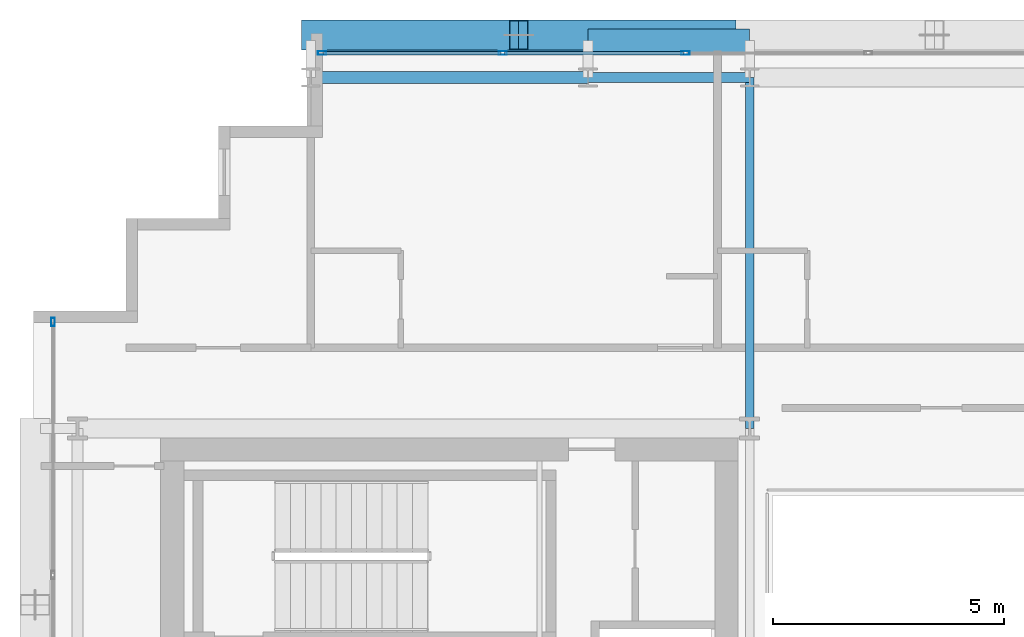
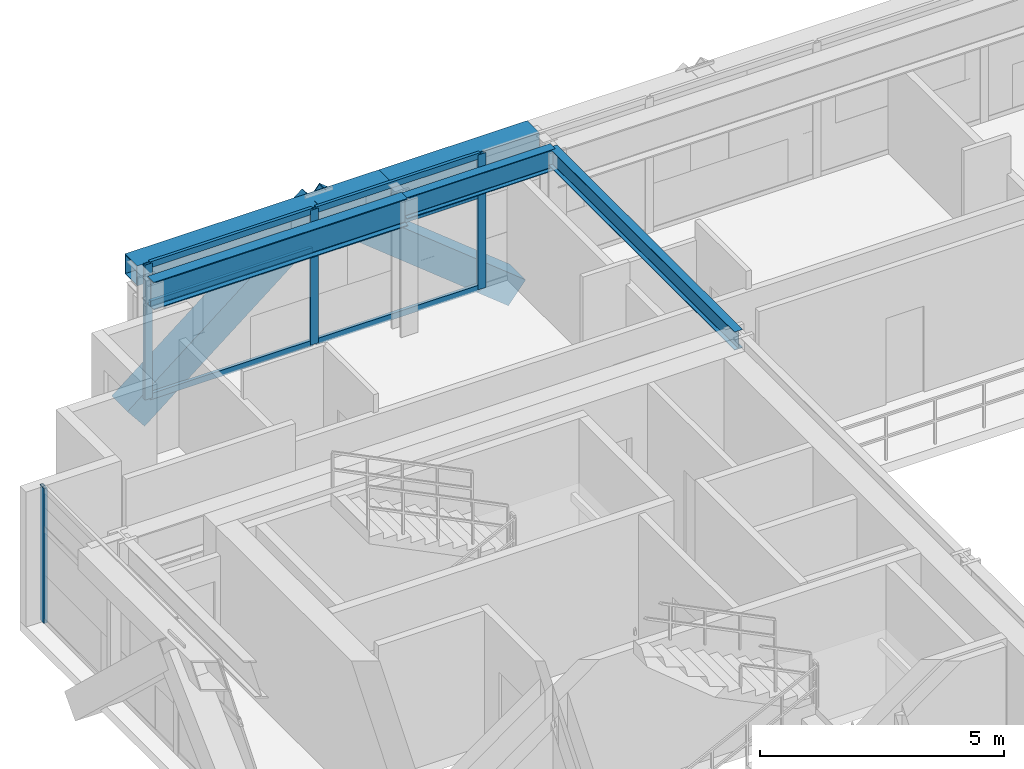
# One storey, part 16 of 31: 12 members, 5 beams, 2 elements without a shape of their own.
"""IFC4 building model written with IfcOpenShell, lengths in metres."""

from ifc_helpers import new_model, si_unit, direction, frame, origin, origin_2d, place, context, subcontext, project, spatial, hollow_rectangle, i_section, extrude, source, transform, mapped, material, layer, layer_set, material_profile, profile_set, type_object, element, aggregate, save


model = new_model("IFC4")

# Units and contexts
model_context = context("Model", 3, precision=1e-05, world=origin(), true_north=direction((0.0, 1.0)))
body_context = subcontext(model_context, "Body", "Model", "MODEL_VIEW")
ifc_project = project(units=[si_unit("LENGTHUNIT", "METRE"), si_unit("AREAUNIT", "SQUARE_METRE"), si_unit("VOLUMEUNIT", "CUBIC_METRE"), si_unit("PLANEANGLEUNIT", "RADIAN"), si_unit("MASSUNIT", "GRAM", prefix="KILO")], contexts=[model_context])

# Site, building, storey
site_placement = place(None, origin())
site = spatial("IfcSite", under=ifc_project, at=site_placement, CompositionType="ELEMENT")
building_placement = place(site_placement, origin())
building = spatial("IfcBuilding", under=site, at=building_placement, Name="Ocotamira Hotel", CompositionType="ELEMENT")
storey_placement = place(building_placement, frame((0.0, 0.0, 181.199951171875)))
storey = spatial("IfcBuildingStorey", under=building, at=storey_placement, Name="L45", CompositionType="ELEMENT", Elevation=181.199951171875)

# Beams
ifc_material_1 = material(Name="Steel ASTM A992 Grade 50", Category="steel")
ifc_material_profile_1 = material_profile(ifc_material_1, i_section(OverallWidth=0.256103515625, OverallDepth=0.693115234375, WebThickness=0.014404296875, FlangeThickness=0.023681640625, FilletRadius=0.01611328125, at=origin_2d()), Name="W27X114")
ifc_profile_set_1 = profile_set([ifc_material_profile_1], Name="Steel ASTM A992 Grade 50")
beam_type_1 = type_object("IfcBeamType", Name="BM-PRIM-W27X114", PredefinedType="BEAM", material=ifc_profile_set_1)
shared_shape_1 = source(origin(), body_context, "Body", "SweptSolid", [
    extrude(i_section(OverallWidth=0.256103515625, OverallDepth=0.693115234375, WebThickness=0.014404296875, FlangeThickness=0.023681640625, FilletRadius=0.01611328125, at=origin_2d()), origin(), (0.0, 0.0, 1.0), 6.0),
])
beam_1_placement = place(storey_placement, frame((14.0, 45.050048828125, 3.0234375), z_axis=(1.0, 0.0, 0.0), x_axis=(0.0, 1.0, 0.0)))
element("IfcBeam", 1, at=beam_1_placement, inside=storey, type_object=beam_type_1, Name="L45 Girder Y45.05 X14-20", PredefinedType="BEAM", context=body_context, shape_type="MappedRepresentation", body=[
    mapped(shared_shape_1, transform((0.0, 0.0, 0.0), scale=1.0)),
])
ifc_material_profile_2 = material_profile(ifc_material_1, i_section(OverallWidth=0.2099609375, OverallDepth=0.537109375, WebThickness=0.010986328125, FlangeThickness=0.017333984375, FilletRadius=0.012939453125, at=origin_2d()), Name="W21X68")
ifc_profile_set_2 = profile_set([ifc_material_profile_2], Name="Steel ASTM A992 Grade 50")
beam_type_2 = type_object("IfcBeamType", Name="BM-SEC-W21X68", PredefinedType="JOIST", material=ifc_profile_set_2)
shared_shape_2 = source(origin(), body_context, "Body", "SweptSolid", [
    extrude(i_section(OverallWidth=0.2099609375, OverallDepth=0.537109375, WebThickness=0.010986328125, FlangeThickness=0.017333984375, FilletRadius=0.012939453125, at=origin_2d()), origin(), (0.0, 0.0, 1.0), 3.5),
])
beam_2_placement = place(storey_placement, frame((20.0, 45.050048828125, 3.1015625), z_axis=(1.0, 0.0, 0.0), x_axis=(0.0, 1.0, 0.0)))
element("IfcBeam", 2, at=beam_2_placement, inside=storey, type_object=beam_type_2, Name="L45 Girder Y45.05 X20-23.5", PredefinedType="JOIST", context=body_context, shape_type="MappedRepresentation", body=[
    mapped(shared_shape_2, transform((0.0, 0.0, 0.0), scale=1.0)),
])
ifc_material_2 = material(Name="Steel ASTM A500 Grade C", Category="steel")
ifc_material_profile_3 = material_profile(ifc_material_2, hollow_rectangle(XDim=0.5, YDim=0.5, WallThickness=0.02001953125, at=origin_2d()), Name="HSS500X500X20")
ifc_profile_set_3 = profile_set([ifc_material_profile_3], Name="Steel ASTM A500 Grade C")
beam_type_3 = type_object("IfcBeamType", Name="BM-SPAN-HSS500", PredefinedType="USERDEFINED", material=ifc_profile_set_3)
shared_shape_3 = source(origin(), body_context, "Body", "SweptSolid", [
    extrude(hollow_rectangle(XDim=0.5, YDim=0.5, WallThickness=0.02001953125, at=origin_2d()), origin(), (0.0, 0.0, 1.0), 6.0),
])
beam_3_placement = place(storey_placement, frame((14.0, 45.85009765625, 3.1201171875), z_axis=(1.0, 0.0, 0.0), x_axis=(0.0, 1.0, 0.0)))
element("IfcBeam", 3, at=beam_3_placement, inside=storey, type_object=beam_type_3, Name="L45 Edge Spandrel N X14-20", ObjectType="SPANDREL", PredefinedType="USERDEFINED", context=body_context, shape_type="MappedRepresentation", body=[
    mapped(shared_shape_3, transform((0.0, 0.0, 0.0), scale=1.0)),
])
shared_shape_4 = source(origin(), body_context, "Body", "SweptSolid", [
    extrude(hollow_rectangle(XDim=0.5, YDim=0.5, WallThickness=0.02001953125, at=origin_2d()), origin(), (0.0, 0.0, 1.0), 3.5),
])
beam_4_placement = place(storey_placement, frame((20.0, 45.85009765625, 3.1201171875), z_axis=(1.0, 0.0, 0.0), x_axis=(0.0, 1.0, 0.0)))
element("IfcBeam", 4, at=beam_4_placement, inside=storey, type_object=beam_type_3, Name="L45 Edge Spandrel N X20-23.5", ObjectType="SPANDREL", PredefinedType="USERDEFINED", context=body_context, shape_type="MappedRepresentation", body=[
    mapped(shared_shape_4, transform((0.0, 0.0, 0.0), scale=1.0)),
])
ifc_material_profile_4 = material_profile(ifc_material_1, i_section(OverallWidth=0.18994140625, OverallDepth=0.45703125, WebThickness=0.009033203125, FlangeThickness=0.014404296875, FilletRadius=0.010009765625, at=origin_2d()), Name="W18X50")
ifc_profile_set_4 = profile_set([ifc_material_profile_4], Name="Steel ASTM A992 Grade 50")
beam_type_4 = type_object("IfcBeamType", Name="BM-SEC-W18X50", PredefinedType="JOIST", material=ifc_profile_set_4)
shared_shape_5 = source(origin(), body_context, "Body", "SweptSolid", [
    extrude(i_section(OverallWidth=0.18994140625, OverallDepth=0.45703125, WebThickness=0.009033203125, FlangeThickness=0.014404296875, FilletRadius=0.010009765625, at=origin_2d()), origin(), (0.0, 0.0, 1.0), 7.60009765625),
])
beam_5_placement = place(storey_placement, frame((23.5, 37.449951171875, 3.1416015625), z_axis=(0.0, 1.0, 0.0), x_axis=(-1.0, 0.0, 0.0)))
element("IfcBeam", 5, at=beam_5_placement, inside=storey, type_object=beam_type_4, Name="L45 Beam X23.5 Y37.45-45.05", PredefinedType="JOIST", context=body_context, shape_type="MappedRepresentation", body=[
    mapped(shared_shape_5, transform((0.0, 0.0, 0.0), scale=1.0)),
])

# Members
ifc_material_3 = material(Name="Pale-metal coated steel ASTM A913 Grade 65", Category="steel")
ifc_material_profile_5 = material_profile(ifc_material_3, hollow_rectangle(XDim=0.64990234375, YDim=0.64990234375, WallThickness=0.02197265625, at=origin_2d()), Name="BOX650X650X22")
ifc_profile_set_5 = profile_set([ifc_material_profile_5], Name="Pale-metal coated steel ASTM A913 Grade 65")
member_type_1 = type_object("IfcMemberType", Name="MEM-EXO-BOX650", PredefinedType="BRACE", material=ifc_profile_set_5)
shared_shape_6 = source(origin(), body_context, "Body", "SweptSolid", [
    extrude(hollow_rectangle(XDim=0.64990234375, YDim=0.64990234375, WallThickness=0.02197265625, at=origin_2d()), origin(), (0.0, 0.0, 1.0), 5.762939453125),
])
for number, where, z_axis, x_axis, name in (
    (6, (14.0, 45.969970703125, -0.47998046875), (0.780860543151, 0.0, 0.624705380279), (0.0, 1.0, 0.0), "L45 Exoskeleton Diagrid N0.1"),
    (7, (23.0, 45.969970703125, -0.47998046875), (-0.780860543151, 0.0, 0.624705380279), (0.0, -1.0, 0.0), "L45 Exoskeleton Diagrid N0.2"),
):
    element("IfcMember", number, at=place(storey_placement, frame(where, z_axis=z_axis, x_axis=x_axis)), inside=storey, type_object=member_type_1, Name=name, PredefinedType="BRACE", context=body_context, shape_type="MappedRepresentation", body=[
        mapped(shared_shape_6, transform((0.0, 0.0, 0.0), scale=1.0)),
    ])

# Curtain wall, members
ifc_material_4 = material(Name="Anodised pale-metal aluminium and solar glass", Category="aluminium")
ifc_layer = layer(ifc_material_4, 0.199951171875)
ifc_layer_set = layer_set([ifc_layer], Name="Anodised pale-metal aluminium and solar glass")
curtain_wall_type = type_object("IfcCurtainWallType", Name="CW-SYS4-Z3", PredefinedType="NOTDEFINED", material=ifc_layer_set)
curtain_wall_1_placement = place(storey_placement, origin())
curtain_wall_1 = element("IfcCurtainWall", 8, at=curtain_wall_1_placement, inside=storey, type_object=curtain_wall_type, Name="L45 Curtain Wall CW-4 CW-L45-N", PredefinedType="NOTDEFINED")
ifc_material_5 = material(Name="Anodised pale-metal aluminium 6063-T6", Category="aluminium")
ifc_material_profile_6 = material_profile(ifc_material_5, hollow_rectangle(XDim=0.074951171875, YDim=0.14990234375, WallThickness=0.006103515625, at=origin_2d()), Name="HSS150X75X6")
ifc_profile_set_6 = profile_set([ifc_material_profile_6], Name="Anodised pale-metal aluminium 6063-T6")
member_type_2 = type_object("IfcMemberType", Name="CWT-150X75", PredefinedType="USERDEFINED", material=ifc_profile_set_6)
shared_shape_7 = source(origin(), body_context, "Body", "SweptSolid", [
    extrude(hollow_rectangle(XDim=0.074951171875, YDim=0.14990234375, WallThickness=0.006103515625, at=origin_2d()), origin(), (0.0, 0.0, 1.0), 3.83544921875),
])
member_1_placement = place(storey_placement, frame((14.280029296875, 45.580078125, 0.03759765625), z_axis=(1.0, 0.0, 0.0), x_axis=(0.0, 1.0, 0.0)))
member_1 = element("IfcMember", 9, at=member_1_placement, type_object=member_type_2, Name="CW-4 transom 1.1", ObjectType="TRANSOM", PredefinedType="USERDEFINED", context=body_context, shape_type="MappedRepresentation", body=[
    mapped(shared_shape_7, transform((0.0, 0.0, 0.0), scale=1.0)),
])
member_2_placement = place(storey_placement, frame((14.280029296875, 45.580078125, 2.35009765625), z_axis=(1.0, 0.0, 0.0), x_axis=(0.0, 1.0, 0.0)))
member_2 = element("IfcMember", 10, at=member_2_placement, type_object=member_type_2, Name="CW-4 transom 1.2", ObjectType="TRANSOM", PredefinedType="USERDEFINED", context=body_context, shape_type="MappedRepresentation", body=[
    mapped(shared_shape_7, transform((0.0, 0.0, 0.0), scale=1.0)),
])
member_3_placement = place(storey_placement, frame((14.280029296875, 45.580078125, 3.33251953125), z_axis=(1.0, 0.0, 0.0), x_axis=(0.0, 1.0, 0.0)))
member_3 = element("IfcMember", 11, at=member_3_placement, type_object=member_type_2, Name="CW-4 transom 1.3", ObjectType="TRANSOM", PredefinedType="USERDEFINED", context=body_context, shape_type="MappedRepresentation", body=[
    mapped(shared_shape_7, transform((0.0, 0.0, 0.0), scale=1.0)),
])
shared_shape_8 = source(origin(), body_context, "Body", "SweptSolid", [
    extrude(hollow_rectangle(XDim=0.074951171875, YDim=0.14990234375, WallThickness=0.006103515625, at=origin_2d()), origin(), (0.0, 0.0, 1.0), 3.87548828125),
])
member_4_placement = place(storey_placement, frame((18.195556640625, 45.580078125, 0.03759765625), z_axis=(1.0, 0.0, 0.0), x_axis=(0.0, 1.0, 0.0)))
member_4 = element("IfcMember", 12, at=member_4_placement, type_object=member_type_2, Name="CW-4 transom 2.1", ObjectType="TRANSOM", PredefinedType="USERDEFINED", context=body_context, shape_type="MappedRepresentation", body=[
    mapped(shared_shape_8, transform((0.0, 0.0, 0.0), scale=1.0)),
])
member_5_placement = place(storey_placement, frame((18.195556640625, 45.580078125, 2.35009765625), z_axis=(1.0, 0.0, 0.0), x_axis=(0.0, 1.0, 0.0)))
member_5 = element("IfcMember", 13, at=member_5_placement, type_object=member_type_2, Name="CW-4 transom 2.2", ObjectType="TRANSOM", PredefinedType="USERDEFINED", context=body_context, shape_type="MappedRepresentation", body=[
    mapped(shared_shape_8, transform((0.0, 0.0, 0.0), scale=1.0)),
])
member_6_placement = place(storey_placement, frame((18.195556640625, 45.580078125, 3.33251953125), z_axis=(1.0, 0.0, 0.0), x_axis=(0.0, 1.0, 0.0)))
member_6 = element("IfcMember", 14, at=member_6_placement, type_object=member_type_2, Name="CW-4 transom 2.3", ObjectType="TRANSOM", PredefinedType="USERDEFINED", context=body_context, shape_type="MappedRepresentation", body=[
    mapped(shared_shape_8, transform((0.0, 0.0, 0.0), scale=1.0)),
])
ifc_material_profile_7 = material_profile(ifc_material_5, hollow_rectangle(XDim=0.080078125, YDim=0.179931640625, WallThickness=0.006103515625, at=origin_2d()), Name="HSS180X80X6")
ifc_profile_set_7 = profile_set([ifc_material_profile_7], Name="Anodised pale-metal aluminium 6063-T6")
member_type_3 = type_object("IfcMemberType", Name="CWM-180X75", PredefinedType="MULLION", material=ifc_profile_set_7)
shared_shape_9 = source(origin(), body_context, "Body", "SweptSolid", [
    extrude(hollow_rectangle(XDim=0.080078125, YDim=0.179931640625, WallThickness=0.006103515625, at=origin_2d()), origin(), (0.0, 0.0, 1.0), 3.3701171875),
])
member_7_placement = place(storey_placement, frame((14.239990234375, 45.580078125, 0.0), z_axis=(0.0, 0.0, 1.0), x_axis=(0.0, 1.0, 0.0)))
member_7 = element("IfcMember", 15, at=member_7_placement, type_object=member_type_3, Name="CW-4 mullion 1", PredefinedType="MULLION", context=body_context, shape_type="MappedRepresentation", body=[
    mapped(shared_shape_9, transform((0.0, 0.0, 0.0), scale=1.0)),
])
member_8_placement = place(storey_placement, frame((18.155517578125, 45.580078125, 0.0), z_axis=(0.0, 0.0, 1.0), x_axis=(0.0, 1.0, 0.0)))
member_8 = element("IfcMember", 16, at=member_8_placement, type_object=member_type_3, Name="CW-4 mullion 2", PredefinedType="MULLION", context=body_context, shape_type="MappedRepresentation", body=[
    mapped(shared_shape_9, transform((0.0, 0.0, 0.0), scale=1.0)),
])
member_9_placement = place(storey_placement, frame((22.111083984375, 45.580078125, 0.0), z_axis=(0.0, 0.0, 1.0), x_axis=(0.0, 1.0, 0.0)))
member_9 = element("IfcMember", 17, at=member_9_placement, type_object=member_type_3, Name="CW-4 mullion 3", PredefinedType="MULLION", context=body_context, shape_type="MappedRepresentation", body=[
    mapped(shared_shape_9, transform((0.0, 0.0, 0.0), scale=1.0)),
])
aggregate(curtain_wall_1, [member_7, member_8, member_9, member_1, member_2, member_3, member_4, member_5, member_6])

# Curtain wall, member
curtain_wall_2_placement = place(storey_placement, origin())
curtain_wall_2 = element("IfcCurtainWall", 18, at=curtain_wall_2_placement, inside=storey, type_object=curtain_wall_type, Name="L45 Curtain Wall CW-4 CW-L45-W", PredefinedType="NOTDEFINED")
member_10_placement = place(storey_placement, frame((8.419921875, 39.760009765625, 0.0), z_axis=(0.0, 0.0, 1.0), x_axis=(-1.0, 0.0, 0.0)))
member_10 = element("IfcMember", 19, at=member_10_placement, type_object=member_type_3, Name="CW-4 mullion 6", PredefinedType="MULLION", context=body_context, shape_type="MappedRepresentation", body=[
    mapped(shared_shape_9, transform((0.0, 0.0, 0.0), scale=1.0)),
])
aggregate(curtain_wall_2, [member_10])

save(model, "model.ifc")
